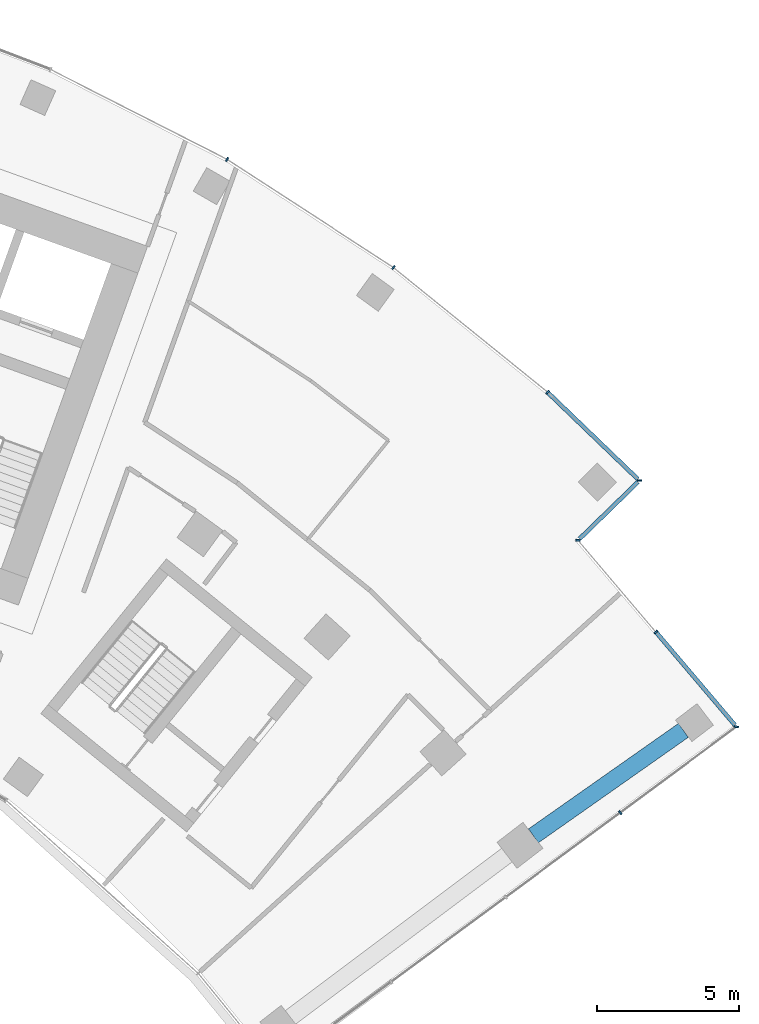
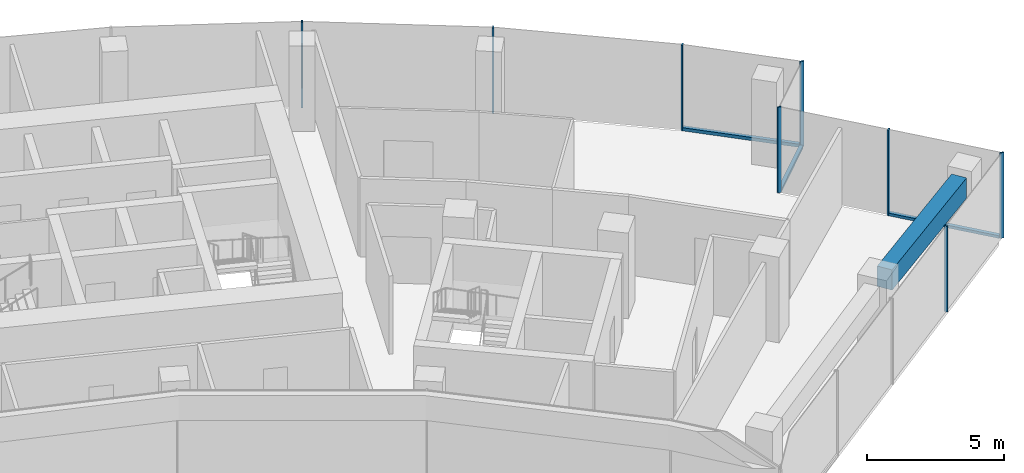
# One storey, part 8 of 19: 11 members, 1 beam, 4 elements without a shape of their own.
"""IFC4 building model written with IfcOpenShell, lengths in metres."""

from ifc_helpers import new_model, si_unit, direction, frame, origin, origin_2d, place, context, subcontext, project, spatial, rectangle, extrude, material, layer, layer_set, material_profile, profile_set, type_object, element, aggregate, save


model = new_model("IFC4")

# Units and contexts
model_context = context("Model", 3, precision=1e-05, world=origin(), true_north=direction((0.0, 1.0)))
body_context = subcontext(model_context, "Body", "Model", "MODEL_VIEW")
ifc_project = project(units=[si_unit("LENGTHUNIT", "METRE"), si_unit("AREAUNIT", "SQUARE_METRE"), si_unit("VOLUMEUNIT", "CUBIC_METRE"), si_unit("PLANEANGLEUNIT", "RADIAN"), si_unit("MASSUNIT", "GRAM", prefix="KILO")], contexts=[model_context])

# Site, building, storey
site_placement = place(None, origin())
site = spatial("IfcSite", under=ifc_project, at=site_placement, CompositionType="ELEMENT")
building_placement = place(site_placement, origin())
building = spatial("IfcBuilding", under=site, at=building_placement, Name="Stone Belt Terrace Tower", CompositionType="ELEMENT")
storey_placement = place(building_placement, frame((0.0, 0.0, 208.60009765625)))
storey = spatial("IfcBuildingStorey", under=building, at=storey_placement, Name="L50", CompositionType="ELEMENT", Elevation=208.60009765625)

# Curtain wall, members
ifc_material_1 = material(Name="Aluminium 6063-T6 anodised frame", Category="aluminium")
ifc_layer_1 = layer(ifc_material_1, 0.14990234375)
ifc_layer_set_1 = layer_set([ifc_layer_1], Name="CW-A unitised convex-face curtain wall")
curtain_wall_type_1 = type_object("IfcCurtainWallType", Name="CW-A unitised convex-face curtain wall", PredefinedType="NOTDEFINED", material=ifc_layer_set_1)
curtain_wall_1_placement = place(storey_placement, origin())
curtain_wall_1 = element("IfcCurtainWall", 1, at=curtain_wall_1_placement, inside=storey, type_object=curtain_wall_type_1, Name="CW-A convex face L50", PredefinedType="NOTDEFINED")
ifc_material_profile_1 = material_profile(ifc_material_1, rectangle(XDim=0.14990234375, YDim=0.06005859375, at=origin_2d()), Name="Aluminium 6063-T6 60x150")
ifc_profile_set_1 = profile_set([ifc_material_profile_1], Name="Aluminium 6063-T6 anodised frame")
member_type_1 = type_object("IfcMemberType", Name="CW-A mullion 60 x 150", PredefinedType="MULLION", material=ifc_profile_set_1)
member_1_placement = place(storey_placement, frame((47.775390625, 46.369140625, 0.0), z_axis=(0.0, 0.0, 1.0), x_axis=(-0.999996264646, -0.002733257028, 0.0)))
member_1 = element("IfcMember", 2, at=member_1_placement, type_object=member_type_1, Name="CW-A mullion 1", PredefinedType="MULLION", context=body_context, shape_type="SweptSolid", body=[
    extrude(rectangle(XDim=0.14990234375, YDim=0.06005859375, at=origin_2d()), origin(), (0.0, 0.0, 1.0), 3.7998046875),
])
member_2_placement = place(storey_placement, frame((44.546875, 49.475341796875, 0.0), z_axis=(0.0, 0.0, 1.0), x_axis=(-0.661937409618, -0.749559114245, 0.0)))
member_2 = element("IfcMember", 3, at=member_2_placement, type_object=member_type_1, Name="CW-A mullion 2", PredefinedType="MULLION", context=body_context, shape_type="SweptSolid", body=[
    extrude(rectangle(XDim=0.14990234375, YDim=0.06005859375, at=origin_2d()), origin(), (0.0, 0.0, 1.0), 3.7998046875),
])
member_3_placement = place(storey_placement, frame((39.1318359375, 53.8603515625, 0.0), z_axis=(0.0, 0.0, 1.0), x_axis=(-0.587785252292, -0.809016994375, 0.0)))
member_3 = element("IfcMember", 4, at=member_3_placement, type_object=member_type_1, Name="CW-A mullion 3", PredefinedType="MULLION", context=body_context, shape_type="SweptSolid", body=[
    extrude(rectangle(XDim=0.14990234375, YDim=0.06005859375, at=origin_2d()), origin(), (0.0, 0.0, 1.0), 3.7998046875),
])
member_4_placement = place(storey_placement, frame((33.28759765625, 57.65576171875, 0.0), z_axis=(0.0, 0.0, 1.0), x_axis=(-0.5, -0.866025403784, 0.0)))
member_4 = element("IfcMember", 5, at=member_4_placement, type_object=member_type_1, Name="CW-A mullion 4", PredefinedType="MULLION", context=body_context, shape_type="SweptSolid", body=[
    extrude(rectangle(XDim=0.14990234375, YDim=0.06005859375, at=origin_2d()), origin(), (0.0, 0.0, 1.0), 3.7998046875),
])
ifc_material_profile_2 = material_profile(ifc_material_1, rectangle(XDim=0.14990234375, YDim=0.139892578125, at=origin_2d()), Name="Aluminium 6063-T6 150x140")
ifc_profile_set_2 = profile_set([ifc_material_profile_2], Name="Aluminium 6063-T6 anodised frame")
member_type_2 = type_object("IfcMemberType", Name="CW-A transom 140 x 150", PredefinedType="USERDEFINED", material=ifc_profile_set_2)
member_5_placement = place(storey_placement, frame((47.721435546875, 46.4208984375, 0.06982421875), z_axis=(-0.720600183576, 0.693350831419, 0.0), x_axis=(-0.693350831419, -0.720600183576, 0.0)))
member_5 = element("IfcMember", 6, at=member_5_placement, type_object=member_type_2, Name="CW-A transom 1.1", ObjectType="TRANSOM", PredefinedType="USERDEFINED", context=body_context, shape_type="SweptSolid", body=[
    extrude(rectangle(XDim=0.14990234375, YDim=0.139892578125, at=origin_2d()), origin(), (0.0, 0.0, 1.0), 4.372314453125),
])
aggregate(curtain_wall_1, [member_1, member_2, member_3, member_4, member_5])

# Curtain wall, member
ifc_layer_2 = layer(ifc_material_1, 0.14990234375)
ifc_layer_set_2 = layer_set([ifc_layer_2], Name="CW-C stick curtain wall, horn ends and notches")
curtain_wall_type_2 = type_object("IfcCurtainWallType", Name="CW-C stick curtain wall, horn ends and notches", PredefinedType="NOTDEFINED", material=ifc_layer_set_2)
curtain_wall_2_placement = place(storey_placement, origin())
curtain_wall_2 = element("IfcCurtainWall", 7, at=curtain_wall_2_placement, inside=storey, type_object=curtain_wall_type_2, Name="CW-C end face L50", PredefinedType="NOTDEFINED")
ifc_material_profile_3 = material_profile(ifc_material_1, rectangle(XDim=0.14990234375, YDim=0.06005859375, at=origin_2d()), Name="Aluminium 6063-T6 60x150")
ifc_profile_set_3 = profile_set([ifc_material_profile_3], Name="Aluminium 6063-T6 anodised frame")
member_type_3 = type_object("IfcMemberType", Name="CW-C mullion 60 x 150", PredefinedType="MULLION", material=ifc_profile_set_3)
member_6_placement = place(storey_placement, frame((47.097900390625, 34.699462890625, 0.0), z_axis=(0.0, 0.0, 1.0), x_axis=(-0.594184091865, 0.804329077539, 0.0)))
member_6 = element("IfcMember", 8, at=member_6_placement, type_object=member_type_3, Name="CW-C mullion 4", PredefinedType="MULLION", context=body_context, shape_type="SweptSolid", body=[
    extrude(rectangle(XDim=0.14990234375, YDim=0.06005859375, at=origin_2d()), origin(), (0.0, 0.0, 1.0), 3.7998046875),
])
aggregate(curtain_wall_2, [member_6])

# Curtain wall, members
curtain_wall_3_placement = place(storey_placement, origin())
curtain_wall_3 = element("IfcCurtainWall", 9, at=curtain_wall_3_placement, inside=storey, type_object=curtain_wall_type_2, Name="CW-C notch face L50", PredefinedType="NOTDEFINED")
member_7_placement = place(storey_placement, frame((51.18408203125, 37.718017578125, 0.0), z_axis=(0.0, 0.0, 1.0), x_axis=(-0.993358853918, 0.115057321987, 0.0)))
member_7 = element("IfcMember", 10, at=member_7_placement, type_object=member_type_3, Name="CW-C mullion 1", PredefinedType="MULLION", context=body_context, shape_type="SweptSolid", body=[
    extrude(rectangle(XDim=0.14990234375, YDim=0.06005859375, at=origin_2d()), origin(), (0.0, 0.0, 1.0), 3.7998046875),
])
member_8_placement = place(storey_placement, frame((48.35302734375, 41.052490234375, 0.0), z_axis=(0.0, 0.0, 1.0), x_axis=(-0.762310954743, -0.647210945735, 0.0)))
member_8 = element("IfcMember", 11, at=member_8_placement, type_object=member_type_3, Name="CW-C mullion 2", PredefinedType="MULLION", context=body_context, shape_type="SweptSolid", body=[
    extrude(rectangle(XDim=0.14990234375, YDim=0.06005859375, at=origin_2d()), origin(), (0.0, 0.0, 1.0), 3.7998046875),
])

# Curtain wall, member
curtain_wall_4_placement = place(storey_placement, origin())
curtain_wall_4 = element("IfcCurtainWall", 12, at=curtain_wall_4_placement, inside=storey, type_object=curtain_wall_type_2, Name="CW-C notch face L50", PredefinedType="NOTDEFINED")
member_9_placement = place(storey_placement, frame((45.61962890625, 44.27197265625, 0.0), z_axis=(0.0, 0.0, 1.0), x_axis=(-0.998865261612, 0.047625509398, 0.0)))
member_9 = element("IfcMember", 13, at=member_9_placement, type_object=member_type_3, Name="CW-C mullion 1", PredefinedType="MULLION", context=body_context, shape_type="SweptSolid", body=[
    extrude(rectangle(XDim=0.14990234375, YDim=0.06005859375, at=origin_2d()), origin(), (0.0, 0.0, 1.0), 3.7998046875),
])

# Member
ifc_material_profile_4 = material_profile(ifc_material_1, rectangle(XDim=0.14990234375, YDim=0.1201171875, at=origin_2d()), Name="Aluminium 6063-T6 150x120")
ifc_profile_set_4 = profile_set([ifc_material_profile_4], Name="Aluminium 6063-T6 anodised frame")
member_type_4 = type_object("IfcMemberType", Name="CW-C transom 120 x 150", PredefinedType="USERDEFINED", material=ifc_profile_set_4)
member_10_placement = place(storey_placement, frame((51.13525390625, 37.775390625, 0.059814453125), z_axis=(-0.647195078608, 0.762324425836, 0.0), x_axis=(-0.762324425836, -0.647195078608, 0.0)))
member_10 = element("IfcMember", 14, at=member_10_placement, type_object=member_type_4, Name="CW-C transom 1.1", ObjectType="TRANSOM", PredefinedType="USERDEFINED", context=body_context, shape_type="SweptSolid", body=[
    extrude(rectangle(XDim=0.14990234375, YDim=0.1201171875, at=origin_2d()), origin(), (0.0, 0.0, 1.0), 4.268798828125),
])

aggregate(curtain_wall_3, [member_7, member_8, member_10])

member_11_placement = place(storey_placement, frame((45.671875, 44.322998046875, 0.059814453125), z_axis=(0.716814728684, 0.697263683797, 0.0), x_axis=(-0.697263683797, 0.716814728684, 0.0)))
member_11 = element("IfcMember", 15, at=member_11_placement, type_object=member_type_4, Name="CW-C transom 1.1", ObjectType="TRANSOM", PredefinedType="USERDEFINED", context=body_context, shape_type="SweptSolid", body=[
    extrude(rectangle(XDim=0.14990234375, YDim=0.1201171875, at=origin_2d()), origin(), (0.0, 0.0, 1.0), 2.859619140625),
])

aggregate(curtain_wall_4, [member_9, member_11])

# Beam
ifc_material_2 = material(Name="Concrete B60", Category="concrete")
ifc_material_profile_5 = material_profile(ifc_material_2, rectangle(XDim=0.60009765625, YDim=0.89990234375, at=origin_2d()), Name="RC 600x900")
ifc_profile_set_5 = profile_set([ifc_material_profile_5], Name="Concrete B60")
beam_type = type_object("IfcBeamType", Name="Edge beam RC 600x900 B60", PredefinedType="SPANDREL", material=ifc_profile_set_5)
beam_placement = place(storey_placement, frame((44.049560546875, 33.885498046875, 3.02978515625), z_axis=(0.817996569297, 0.575223098126, 0.0), x_axis=(-0.575223098126, 0.817996569297, 0.0)))
element("IfcBeam", 16, at=beam_placement, inside=storey, type_object=beam_type, Name="Edge beam L50 B Q to R", PredefinedType="SPANDREL", context=body_context, shape_type="SweptSolid", body=[
    extrude(rectangle(XDim=0.60009765625, YDim=0.89990234375, at=origin_2d()), origin(), (0.0, 0.0, 1.0), 6.444091796875),
])

save(model, "model.ifc")
